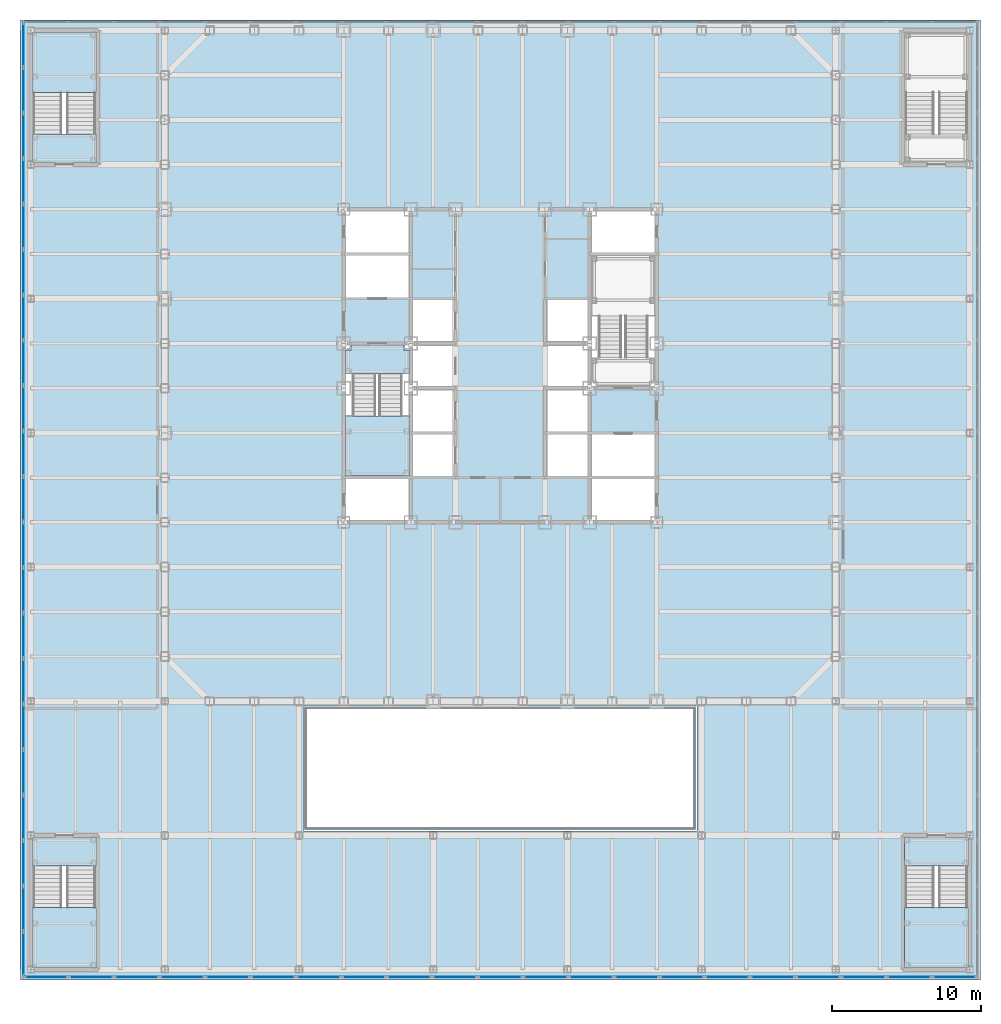
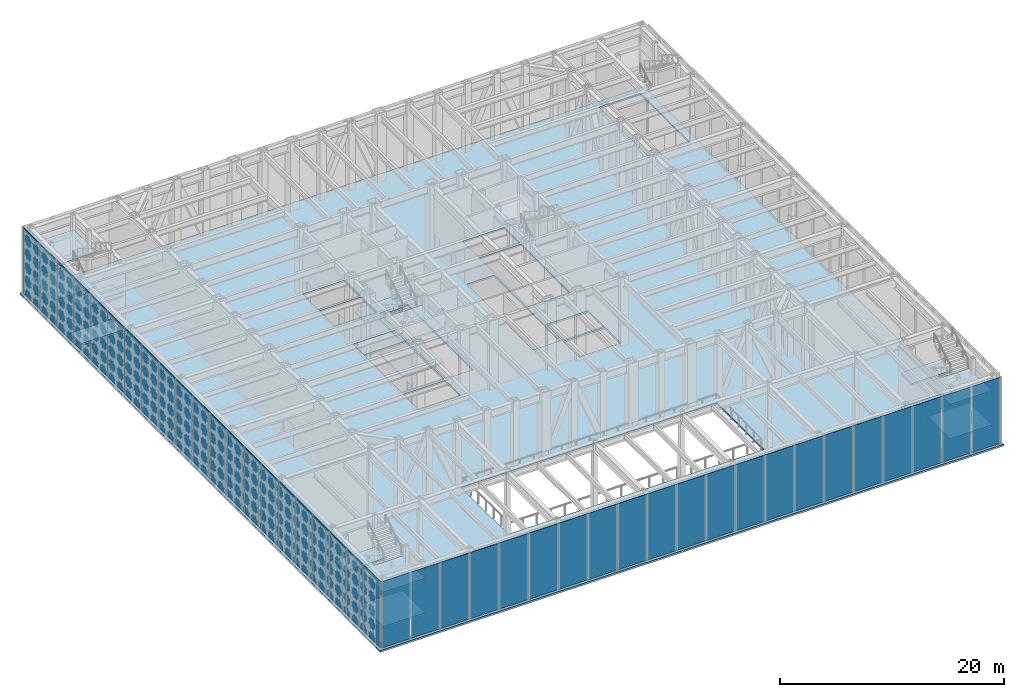
# One storey, part 13 of 34: 42 plates, 17 slabs, 6 elements without a shape of their own.
"""IFC4 building model written with IfcOpenShell, lengths in metres."""

from ifc_helpers import new_model, si_unit, direction, frame, origin, origin_2d, place, context, subcontext, project, spatial, polyline, rectangle, outline, extrude, material, layer, layer_set, type_object, element, aggregate, save


model = new_model("IFC4")

# Units and contexts
model_context = context("Model", 3, precision=1e-05, world=origin(), true_north=direction((0.0, 1.0)))
body_context = subcontext(model_context, "Body", "Model", "MODEL_VIEW")
ifc_project = project(units=[si_unit("LENGTHUNIT", "METRE"), si_unit("AREAUNIT", "SQUARE_METRE"), si_unit("VOLUMEUNIT", "CUBIC_METRE"), si_unit("PLANEANGLEUNIT", "RADIAN"), si_unit("MASSUNIT", "GRAM", prefix="KILO")], contexts=[model_context])

# Site, building, storey
site_placement = place(None, origin())
site = spatial("IfcSite", under=ifc_project, at=site_placement, CompositionType="ELEMENT")
building_placement = place(site_placement, origin())
building = spatial("IfcBuilding", under=site, at=building_placement, Name="Chuquiago Exchange Tower", CompositionType="ELEMENT")
storey_placement = place(building_placement, frame((0.0, 0.0, 6.0)))
storey = spatial("IfcBuildingStorey", under=building, at=storey_placement, Name="L01", CompositionType="ELEMENT", Elevation=6.0)

# Curtain wall, plates
ifc_material_1 = material(Name="Aluminium curtain wall system", Category="aluminium")
ifc_layer_1 = layer(ifc_material_1, 0.300048828125)
ifc_layer_set_1 = layer_set([ifc_layer_1], Name="CW4 podium curtain wall")
curtain_wall_type = type_object("IfcCurtainWallType", Name="CW4 podium curtain wall", PredefinedType="NOTDEFINED", material=ifc_layer_set_1)
curtain_wall_1_placement = place(storey_placement, origin())
curtain_wall_1 = element("IfcCurtainWall", 1, at=curtain_wall_1_placement, inside=storey, type_object=curtain_wall_type, Name="CW4 curtain wall L01", PredefinedType="NOTDEFINED")
ifc_material_2 = material(Name="Glass, insulating unit", Category="glass")
ifc_layer_2 = layer(ifc_material_2, 0.035888671875)
ifc_layer_set_2 = layer_set([ifc_layer_2], Name="CW4-P panel 36")
plate_type = type_object("IfcPlateType", Name="CW4-P panel 36", PredefinedType="CURTAIN_PANEL", material=ifc_layer_set_2)
plate_1_placement = place(storey_placement, frame((-7.95751953125, -18.5, 0.074951171875), z_axis=(0.0, 0.0, 1.0), x_axis=(1.0, 0.0, 0.0)))
plate_1 = element("IfcPlate", 2, at=plate_1_placement, type_object=plate_type, Name="CW4 panel 1.1", PredefinedType="CURTAIN_PANEL", context=body_context, shape_type="SweptSolid", body=[
    extrude(rectangle(XDim=2.93505859375, YDim=0.035888671875, at=origin_2d()), origin(), (0.0, 0.0, 1.0), 7.22509765625),
])
plate_2_placement = place(storey_placement, frame((-4.928466796875, -18.5, 0.074951171875), z_axis=(0.0, 0.0, 1.0), x_axis=(1.0, 0.0, 0.0)))
plate_2 = element("IfcPlate", 3, at=plate_2_placement, type_object=plate_type, Name="CW4 panel 2.1", PredefinedType="CURTAIN_PANEL", context=body_context, shape_type="SweptSolid", body=[
    extrude(rectangle(XDim=2.97265625, YDim=0.035888671875, at=origin_2d()), origin(), (0.0, 0.0, 1.0), 7.22509765625),
])
plate_3_placement = place(storey_placement, frame((-1.880859375, -18.5, 0.074951171875), z_axis=(0.0, 0.0, 1.0), x_axis=(1.0, 0.0, 0.0)))
plate_3 = element("IfcPlate", 4, at=plate_3_placement, type_object=plate_type, Name="CW4 panel 3.1", PredefinedType="CURTAIN_PANEL", context=body_context, shape_type="SweptSolid", body=[
    extrude(rectangle(XDim=2.97265625, YDim=0.035888671875, at=origin_2d()), origin(), (0.0, 0.0, 1.0), 7.22509765625),
])
plate_4_placement = place(storey_placement, frame((1.166748046875, -18.5, 0.074951171875), z_axis=(0.0, 0.0, 1.0), x_axis=(1.0, 0.0, 0.0)))
plate_4 = element("IfcPlate", 5, at=plate_4_placement, type_object=plate_type, Name="CW4 panel 4.1", PredefinedType="CURTAIN_PANEL", context=body_context, shape_type="SweptSolid", body=[
    extrude(rectangle(XDim=2.97265625, YDim=0.035888671875, at=origin_2d()), origin(), (0.0, 0.0, 1.0), 7.22509765625),
])
plate_5_placement = place(storey_placement, frame((4.21435546875, -18.5, 0.074951171875), z_axis=(0.0, 0.0, 1.0), x_axis=(1.0, 0.0, 0.0)))
plate_5 = element("IfcPlate", 6, at=plate_5_placement, type_object=plate_type, Name="CW4 panel 5.1", PredefinedType="CURTAIN_PANEL", context=body_context, shape_type="SweptSolid", body=[
    extrude(rectangle(XDim=2.97265625, YDim=0.035888671875, at=origin_2d()), origin(), (0.0, 0.0, 1.0), 7.22509765625),
])
plate_6_placement = place(storey_placement, frame((7.261962890625, -18.5, 0.074951171875), z_axis=(0.0, 0.0, 1.0), x_axis=(1.0, 0.0, 0.0)))
plate_6 = element("IfcPlate", 7, at=plate_6_placement, type_object=plate_type, Name="CW4 panel 6.1", PredefinedType="CURTAIN_PANEL", context=body_context, shape_type="SweptSolid", body=[
    extrude(rectangle(XDim=2.97265625, YDim=0.035888671875, at=origin_2d()), origin(), (0.0, 0.0, 1.0), 7.22509765625),
])
plate_7_placement = place(storey_placement, frame((10.3095703125, -18.5, 0.074951171875), z_axis=(0.0, 0.0, 1.0), x_axis=(1.0, 0.0, 0.0)))
plate_7 = element("IfcPlate", 8, at=plate_7_placement, type_object=plate_type, Name="CW4 panel 7.1", PredefinedType="CURTAIN_PANEL", context=body_context, shape_type="SweptSolid", body=[
    extrude(rectangle(XDim=2.97265625, YDim=0.035888671875, at=origin_2d()), origin(), (0.0, 0.0, 1.0), 7.22509765625),
])
plate_8_placement = place(storey_placement, frame((13.357177734375, -18.5, 0.074951171875), z_axis=(0.0, 0.0, 1.0), x_axis=(1.0, 0.0, 0.0)))
plate_8 = element("IfcPlate", 9, at=plate_8_placement, type_object=plate_type, Name="CW4 panel 8.1", PredefinedType="CURTAIN_PANEL", context=body_context, shape_type="SweptSolid", body=[
    extrude(rectangle(XDim=2.97265625, YDim=0.035888671875, at=origin_2d()), origin(), (0.0, 0.0, 1.0), 7.22509765625),
])
plate_9_placement = place(storey_placement, frame((16.40478515625, -18.5, 0.074951171875), z_axis=(0.0, 0.0, 1.0), x_axis=(1.0, 0.0, 0.0)))
plate_9 = element("IfcPlate", 10, at=plate_9_placement, type_object=plate_type, Name="CW4 panel 9.1", PredefinedType="CURTAIN_PANEL", context=body_context, shape_type="SweptSolid", body=[
    extrude(rectangle(XDim=2.97265625, YDim=0.035888671875, at=origin_2d()), origin(), (0.0, 0.0, 1.0), 7.22509765625),
])
plate_10_placement = place(storey_placement, frame((19.452392578125, -18.5, 0.074951171875), z_axis=(0.0, 0.0, 1.0), x_axis=(1.0, 0.0, 0.0)))
plate_10 = element("IfcPlate", 11, at=plate_10_placement, type_object=plate_type, Name="CW4 panel 10.1", PredefinedType="CURTAIN_PANEL", context=body_context, shape_type="SweptSolid", body=[
    extrude(rectangle(XDim=2.97265625, YDim=0.035888671875, at=origin_2d()), origin(), (0.0, 0.0, 1.0), 7.22509765625),
])
plate_11_placement = place(storey_placement, frame((22.5, -18.5, 0.074951171875), z_axis=(0.0, 0.0, 1.0), x_axis=(1.0, 0.0, 0.0)))
plate_11 = element("IfcPlate", 12, at=plate_11_placement, type_object=plate_type, Name="CW4 panel 11.1", PredefinedType="CURTAIN_PANEL", context=body_context, shape_type="SweptSolid", body=[
    extrude(rectangle(XDim=2.97265625, YDim=0.035888671875, at=origin_2d()), origin(), (0.0, 0.0, 1.0), 7.22509765625),
])
plate_12_placement = place(storey_placement, frame((25.547607421875, -18.5, 0.074951171875), z_axis=(0.0, 0.0, 1.0), x_axis=(1.0, 0.0, 0.0)))
plate_12 = element("IfcPlate", 13, at=plate_12_placement, type_object=plate_type, Name="CW4 panel 12.1", PredefinedType="CURTAIN_PANEL", context=body_context, shape_type="SweptSolid", body=[
    extrude(rectangle(XDim=2.97265625, YDim=0.035888671875, at=origin_2d()), origin(), (0.0, 0.0, 1.0), 7.22509765625),
])
plate_13_placement = place(storey_placement, frame((28.59521484375, -18.5, 0.074951171875), z_axis=(0.0, 0.0, 1.0), x_axis=(1.0, 0.0, 0.0)))
plate_13 = element("IfcPlate", 14, at=plate_13_placement, type_object=plate_type, Name="CW4 panel 13.1", PredefinedType="CURTAIN_PANEL", context=body_context, shape_type="SweptSolid", body=[
    extrude(rectangle(XDim=2.97265625, YDim=0.035888671875, at=origin_2d()), origin(), (0.0, 0.0, 1.0), 7.22509765625),
])
plate_14_placement = place(storey_placement, frame((31.642822265625, -18.5, 0.074951171875), z_axis=(0.0, 0.0, 1.0), x_axis=(1.0, 0.0, 0.0)))
plate_14 = element("IfcPlate", 15, at=plate_14_placement, type_object=plate_type, Name="CW4 panel 14.1", PredefinedType="CURTAIN_PANEL", context=body_context, shape_type="SweptSolid", body=[
    extrude(rectangle(XDim=2.97265625, YDim=0.035888671875, at=origin_2d()), origin(), (0.0, 0.0, 1.0), 7.22509765625),
])
plate_15_placement = place(storey_placement, frame((34.6904296875, -18.5, 0.074951171875), z_axis=(0.0, 0.0, 1.0), x_axis=(1.0, 0.0, 0.0)))
plate_15 = element("IfcPlate", 16, at=plate_15_placement, type_object=plate_type, Name="CW4 panel 15.1", PredefinedType="CURTAIN_PANEL", context=body_context, shape_type="SweptSolid", body=[
    extrude(rectangle(XDim=2.97265625, YDim=0.035888671875, at=origin_2d()), origin(), (0.0, 0.0, 1.0), 7.22509765625),
])
plate_16_placement = place(storey_placement, frame((37.738037109375, -18.5, 0.074951171875), z_axis=(0.0, 0.0, 1.0), x_axis=(1.0, 0.0, 0.0)))
plate_16 = element("IfcPlate", 17, at=plate_16_placement, type_object=plate_type, Name="CW4 panel 16.1", PredefinedType="CURTAIN_PANEL", context=body_context, shape_type="SweptSolid", body=[
    extrude(rectangle(XDim=2.97265625, YDim=0.035888671875, at=origin_2d()), origin(), (0.0, 0.0, 1.0), 7.22509765625),
])
plate_17_placement = place(storey_placement, frame((40.78564453125, -18.5, 0.074951171875), z_axis=(0.0, 0.0, 1.0), x_axis=(1.0, 0.0, 0.0)))
plate_17 = element("IfcPlate", 18, at=plate_17_placement, type_object=plate_type, Name="CW4 panel 17.1", PredefinedType="CURTAIN_PANEL", context=body_context, shape_type="SweptSolid", body=[
    extrude(rectangle(XDim=2.97265625, YDim=0.035888671875, at=origin_2d()), origin(), (0.0, 0.0, 1.0), 7.22509765625),
])
plate_18_placement = place(storey_placement, frame((43.833251953125, -18.5, 0.074951171875), z_axis=(0.0, 0.0, 1.0), x_axis=(1.0, 0.0, 0.0)))
plate_18 = element("IfcPlate", 19, at=plate_18_placement, type_object=plate_type, Name="CW4 panel 18.1", PredefinedType="CURTAIN_PANEL", context=body_context, shape_type="SweptSolid", body=[
    extrude(rectangle(XDim=2.97265625, YDim=0.035888671875, at=origin_2d()), origin(), (0.0, 0.0, 1.0), 7.22509765625),
])
plate_19_placement = place(storey_placement, frame((46.880859375, -18.5, 0.074951171875), z_axis=(0.0, 0.0, 1.0), x_axis=(1.0, 0.0, 0.0)))
plate_19 = element("IfcPlate", 20, at=plate_19_placement, type_object=plate_type, Name="CW4 panel 19.1", PredefinedType="CURTAIN_PANEL", context=body_context, shape_type="SweptSolid", body=[
    extrude(rectangle(XDim=2.97265625, YDim=0.035888671875, at=origin_2d()), origin(), (0.0, 0.0, 1.0), 7.22509765625),
])
plate_20_placement = place(storey_placement, frame((49.928466796875, -18.5, 0.074951171875), z_axis=(0.0, 0.0, 1.0), x_axis=(1.0, 0.0, 0.0)))
plate_20 = element("IfcPlate", 21, at=plate_20_placement, type_object=plate_type, Name="CW4 panel 20.1", PredefinedType="CURTAIN_PANEL", context=body_context, shape_type="SweptSolid", body=[
    extrude(rectangle(XDim=2.97265625, YDim=0.035888671875, at=origin_2d()), origin(), (0.0, 0.0, 1.0), 7.22509765625),
])
plate_21_placement = place(storey_placement, frame((52.95751953125, -18.5, 0.074951171875), z_axis=(0.0, 0.0, 1.0), x_axis=(1.0, 0.0, 0.0)))
plate_21 = element("IfcPlate", 22, at=plate_21_placement, type_object=plate_type, Name="CW4 panel 21.1", PredefinedType="CURTAIN_PANEL", context=body_context, shape_type="SweptSolid", body=[
    extrude(rectangle(XDim=2.93505859375, YDim=0.035888671875, at=origin_2d()), origin(), (0.0, 0.0, 1.0), 7.22509765625),
])
aggregate(curtain_wall_1, [plate_1, plate_2, plate_3, plate_4, plate_5, plate_6, plate_7, plate_8, plate_9, plate_10, plate_11, plate_12, plate_13, plate_14, plate_15, plate_16, plate_17, plate_18, plate_19, plate_20, plate_21])

curtain_wall_2_placement = place(storey_placement, origin())
curtain_wall_2 = element("IfcCurtainWall", 23, at=curtain_wall_2_placement, inside=storey, type_object=curtain_wall_type, Name="CW4 curtain wall L01", PredefinedType="NOTDEFINED")
plate_22_placement = place(storey_placement, frame((-9.5, 44.03076171875, 0.074951171875), z_axis=(0.0, 0.0, 1.0), x_axis=(0.0, -1.0, 0.0)))
plate_22 = element("IfcPlate", 24, at=plate_22_placement, type_object=plate_type, Name="CW4 panel 1.1", PredefinedType="CURTAIN_PANEL", context=body_context, shape_type="SweptSolid", body=[
    extrude(rectangle(XDim=2.938720703125, YDim=0.035888671875, at=origin_2d()), origin(), (0.0, 0.0, 1.0), 7.22509765625),
])
plate_23_placement = place(storey_placement, frame((-9.5, 40.998291015625, 0.074951171875), z_axis=(0.0, 0.0, 1.0), x_axis=(0.0, -1.0, 0.0)))
plate_23 = element("IfcPlate", 25, at=plate_23_placement, type_object=plate_type, Name="CW4 panel 2.1", PredefinedType="CURTAIN_PANEL", context=body_context, shape_type="SweptSolid", body=[
    extrude(rectangle(XDim=2.97607421875, YDim=0.035888671875, at=origin_2d()), origin(), (0.0, 0.0, 1.0), 7.22509765625),
])
plate_24_placement = place(storey_placement, frame((-9.5, 37.947021484375, 0.074951171875), z_axis=(0.0, 0.0, 1.0), x_axis=(0.0, -1.0, 0.0)))
plate_24 = element("IfcPlate", 26, at=plate_24_placement, type_object=plate_type, Name="CW4 panel 3.1", PredefinedType="CURTAIN_PANEL", context=body_context, shape_type="SweptSolid", body=[
    extrude(rectangle(XDim=2.97607421875, YDim=0.035888671875, at=origin_2d()), origin(), (0.0, 0.0, 1.0), 7.22509765625),
])
plate_25_placement = place(storey_placement, frame((-9.5, 34.895751953125, 0.074951171875), z_axis=(0.0, 0.0, 1.0), x_axis=(0.0, -1.0, 0.0)))
plate_25 = element("IfcPlate", 27, at=plate_25_placement, type_object=plate_type, Name="CW4 panel 4.1", PredefinedType="CURTAIN_PANEL", context=body_context, shape_type="SweptSolid", body=[
    extrude(rectangle(XDim=2.97607421875, YDim=0.035888671875, at=origin_2d()), origin(), (0.0, 0.0, 1.0), 7.22509765625),
])
plate_26_placement = place(storey_placement, frame((-9.5, 31.8447265625, 0.074951171875), z_axis=(0.0, 0.0, 1.0), x_axis=(0.0, -1.0, 0.0)))
plate_26 = element("IfcPlate", 28, at=plate_26_placement, type_object=plate_type, Name="CW4 panel 5.1", PredefinedType="CURTAIN_PANEL", context=body_context, shape_type="SweptSolid", body=[
    extrude(rectangle(XDim=2.97607421875, YDim=0.035888671875, at=origin_2d()), origin(), (0.0, 0.0, 1.0), 7.22509765625),
])
plate_27_placement = place(storey_placement, frame((-9.5, 28.79345703125, 0.074951171875), z_axis=(0.0, 0.0, 1.0), x_axis=(0.0, -1.0, 0.0)))
plate_27 = element("IfcPlate", 29, at=plate_27_placement, type_object=plate_type, Name="CW4 panel 6.1", PredefinedType="CURTAIN_PANEL", context=body_context, shape_type="SweptSolid", body=[
    extrude(rectangle(XDim=2.97607421875, YDim=0.035888671875, at=origin_2d()), origin(), (0.0, 0.0, 1.0), 7.22509765625),
])
plate_28_placement = place(storey_placement, frame((-9.5, 25.7421875, 0.074951171875), z_axis=(0.0, 0.0, 1.0), x_axis=(0.0, -1.0, 0.0)))
plate_28 = element("IfcPlate", 30, at=plate_28_placement, type_object=plate_type, Name="CW4 panel 7.1", PredefinedType="CURTAIN_PANEL", context=body_context, shape_type="SweptSolid", body=[
    extrude(rectangle(XDim=2.97607421875, YDim=0.035888671875, at=origin_2d()), origin(), (0.0, 0.0, 1.0), 7.22509765625),
])
plate_29_placement = place(storey_placement, frame((-9.5, 22.691162109375, 0.074951171875), z_axis=(0.0, 0.0, 1.0), x_axis=(0.0, -1.0, 0.0)))
plate_29 = element("IfcPlate", 31, at=plate_29_placement, type_object=plate_type, Name="CW4 panel 8.1", PredefinedType="CURTAIN_PANEL", context=body_context, shape_type="SweptSolid", body=[
    extrude(rectangle(XDim=2.97607421875, YDim=0.035888671875, at=origin_2d()), origin(), (0.0, 0.0, 1.0), 7.22509765625),
])
plate_30_placement = place(storey_placement, frame((-9.5, 19.639892578125, 0.074951171875), z_axis=(0.0, 0.0, 1.0), x_axis=(0.0, -1.0, 0.0)))
plate_30 = element("IfcPlate", 32, at=plate_30_placement, type_object=plate_type, Name="CW4 panel 9.1", PredefinedType="CURTAIN_PANEL", context=body_context, shape_type="SweptSolid", body=[
    extrude(rectangle(XDim=2.97607421875, YDim=0.035888671875, at=origin_2d()), origin(), (0.0, 0.0, 1.0), 7.22509765625),
])
plate_31_placement = place(storey_placement, frame((-9.5, 16.588623046875, 0.074951171875), z_axis=(0.0, 0.0, 1.0), x_axis=(0.0, -1.0, 0.0)))
plate_31 = element("IfcPlate", 33, at=plate_31_placement, type_object=plate_type, Name="CW4 panel 10.1", PredefinedType="CURTAIN_PANEL", context=body_context, shape_type="SweptSolid", body=[
    extrude(rectangle(XDim=2.97607421875, YDim=0.035888671875, at=origin_2d()), origin(), (0.0, 0.0, 1.0), 7.22509765625),
])
plate_32_placement = place(storey_placement, frame((-9.5, 13.53759765625, 0.074951171875), z_axis=(0.0, 0.0, 1.0), x_axis=(0.0, -1.0, 0.0)))
plate_32 = element("IfcPlate", 34, at=plate_32_placement, type_object=plate_type, Name="CW4 panel 11.1", PredefinedType="CURTAIN_PANEL", context=body_context, shape_type="SweptSolid", body=[
    extrude(rectangle(XDim=2.97607421875, YDim=0.035888671875, at=origin_2d()), origin(), (0.0, 0.0, 1.0), 7.22509765625),
])
plate_33_placement = place(storey_placement, frame((-9.5, 10.486328125, 0.074951171875), z_axis=(0.0, 0.0, 1.0), x_axis=(0.0, -1.0, 0.0)))
plate_33 = element("IfcPlate", 35, at=plate_33_placement, type_object=plate_type, Name="CW4 panel 12.1", PredefinedType="CURTAIN_PANEL", context=body_context, shape_type="SweptSolid", body=[
    extrude(rectangle(XDim=2.97607421875, YDim=0.035888671875, at=origin_2d()), origin(), (0.0, 0.0, 1.0), 7.22509765625),
])
plate_34_placement = place(storey_placement, frame((-9.5, 7.43505859375, 0.074951171875), z_axis=(0.0, 0.0, 1.0), x_axis=(0.0, -1.0, 0.0)))
plate_34 = element("IfcPlate", 36, at=plate_34_placement, type_object=plate_type, Name="CW4 panel 13.1", PredefinedType="CURTAIN_PANEL", context=body_context, shape_type="SweptSolid", body=[
    extrude(rectangle(XDim=2.97607421875, YDim=0.035888671875, at=origin_2d()), origin(), (0.0, 0.0, 1.0), 7.22509765625),
])
plate_35_placement = place(storey_placement, frame((-9.5, 4.384033203125, 0.074951171875), z_axis=(0.0, 0.0, 1.0), x_axis=(0.0, -1.0, 0.0)))
plate_35 = element("IfcPlate", 37, at=plate_35_placement, type_object=plate_type, Name="CW4 panel 14.1", PredefinedType="CURTAIN_PANEL", context=body_context, shape_type="SweptSolid", body=[
    extrude(rectangle(XDim=2.97607421875, YDim=0.035888671875, at=origin_2d()), origin(), (0.0, 0.0, 1.0), 7.22509765625),
])
plate_36_placement = place(storey_placement, frame((-9.5, 1.332763671875, 0.074951171875), z_axis=(0.0, 0.0, 1.0), x_axis=(0.0, -1.0, 0.0)))
plate_36 = element("IfcPlate", 38, at=plate_36_placement, type_object=plate_type, Name="CW4 panel 15.1", PredefinedType="CURTAIN_PANEL", context=body_context, shape_type="SweptSolid", body=[
    extrude(rectangle(XDim=2.97607421875, YDim=0.035888671875, at=origin_2d()), origin(), (0.0, 0.0, 1.0), 7.22509765625),
])
plate_37_placement = place(storey_placement, frame((-9.5, -1.718505859375, 0.074951171875), z_axis=(0.0, 0.0, 1.0), x_axis=(0.0, -1.0, 0.0)))
plate_37 = element("IfcPlate", 39, at=plate_37_placement, type_object=plate_type, Name="CW4 panel 16.1", PredefinedType="CURTAIN_PANEL", context=body_context, shape_type="SweptSolid", body=[
    extrude(rectangle(XDim=2.97607421875, YDim=0.035888671875, at=origin_2d()), origin(), (0.0, 0.0, 1.0), 7.22509765625),
])
plate_38_placement = place(storey_placement, frame((-9.5, -4.76953125, 0.074951171875), z_axis=(0.0, 0.0, 1.0), x_axis=(0.0, -1.0, 0.0)))
plate_38 = element("IfcPlate", 40, at=plate_38_placement, type_object=plate_type, Name="CW4 panel 17.1", PredefinedType="CURTAIN_PANEL", context=body_context, shape_type="SweptSolid", body=[
    extrude(rectangle(XDim=2.97607421875, YDim=0.035888671875, at=origin_2d()), origin(), (0.0, 0.0, 1.0), 7.22509765625),
])
plate_39_placement = place(storey_placement, frame((-9.5, -7.82080078125, 0.074951171875), z_axis=(0.0, 0.0, 1.0), x_axis=(0.0, -1.0, 0.0)))
plate_39 = element("IfcPlate", 41, at=plate_39_placement, type_object=plate_type, Name="CW4 panel 18.1", PredefinedType="CURTAIN_PANEL", context=body_context, shape_type="SweptSolid", body=[
    extrude(rectangle(XDim=2.97607421875, YDim=0.035888671875, at=origin_2d()), origin(), (0.0, 0.0, 1.0), 7.22509765625),
])
plate_40_placement = place(storey_placement, frame((-9.5, -10.8720703125, 0.074951171875), z_axis=(0.0, 0.0, 1.0), x_axis=(0.0, -1.0, 0.0)))
plate_40 = element("IfcPlate", 42, at=plate_40_placement, type_object=plate_type, Name="CW4 panel 19.1", PredefinedType="CURTAIN_PANEL", context=body_context, shape_type="SweptSolid", body=[
    extrude(rectangle(XDim=2.97607421875, YDim=0.035888671875, at=origin_2d()), origin(), (0.0, 0.0, 1.0), 7.22509765625),
])
plate_41_placement = place(storey_placement, frame((-9.5, -13.923095703125, 0.074951171875), z_axis=(0.0, 0.0, 1.0), x_axis=(0.0, -1.0, 0.0)))
plate_41 = element("IfcPlate", 43, at=plate_41_placement, type_object=plate_type, Name="CW4 panel 20.1", PredefinedType="CURTAIN_PANEL", context=body_context, shape_type="SweptSolid", body=[
    extrude(rectangle(XDim=2.97607421875, YDim=0.035888671875, at=origin_2d()), origin(), (0.0, 0.0, 1.0), 7.22509765625),
])
plate_42_placement = place(storey_placement, frame((-9.5, -16.95556640625, 0.074951171875), z_axis=(0.0, 0.0, 1.0), x_axis=(0.0, -1.0, 0.0)))
plate_42 = element("IfcPlate", 44, at=plate_42_placement, type_object=plate_type, Name="CW4 panel 21.1", PredefinedType="CURTAIN_PANEL", context=body_context, shape_type="SweptSolid", body=[
    extrude(rectangle(XDim=2.938720703125, YDim=0.035888671875, at=origin_2d()), origin(), (0.0, 0.0, 1.0), 7.22509765625),
])
aggregate(curtain_wall_2, [plate_22, plate_23, plate_24, plate_25, plate_26, plate_27, plate_28, plate_29, plate_30, plate_31, plate_32, plate_33, plate_34, plate_35, plate_36, plate_37, plate_38, plate_39, plate_40, plate_41, plate_42])

# Slab
ifc_material_3 = material(Name="Concrete C30/37", Category="concrete")
ifc_layer_3 = layer(ifc_material_3, 0.199951171875)
ifc_layer_set_3 = layer_set([ifc_layer_3], Name="FS2 podium floor 200")
slab_type_1 = type_object("IfcSlabType", Name="FS2 podium floor 200", PredefinedType="FLOOR", material=ifc_layer_set_3)
slab_1_placement = place(storey_placement, frame((0.0, 0.0, -0.199951171875)))
element("IfcSlab", 45, at=slab_1_placement, inside=storey, type_object=slab_type_1, Name="L01 floor slab", PredefinedType="FLOOR", context=body_context, shape_type="SweptSolid", body=[
    extrude(outline(polyline([(54.699951171875, -18.699951171875), (54.699951171875, 45.699951171875), (-9.699951171875, 45.699951171875), (-9.699951171875, -18.699951171875), (54.699951171875, -18.699951171875)]), holes=[polyline([(16.39990234375, 15.10009765625), (12.10009765625, 15.10009765625), (12.10009765625, 23.89990234375), (16.39990234375, 23.89990234375), (16.39990234375, 15.10009765625)]), polyline([(32.89990234375, 21.10009765625), (28.60009765625, 21.10009765625), (28.60009765625, 29.89990234375), (32.89990234375, 29.89990234375), (32.89990234375, 21.10009765625)]), polyline([(16.39990234375, 12.10009765625), (12.10009765625, 12.10009765625), (12.10009765625, 14.89990234375), (16.39990234375, 14.89990234375), (16.39990234375, 12.10009765625)]), polyline([(16.39990234375, 30.10009765625), (12.10009765625, 30.10009765625), (12.10009765625, 32.89990234375), (16.39990234375, 32.89990234375), (16.39990234375, 30.10009765625)]), polyline([(32.89990234375, 12.10009765625), (28.60009765625, 12.10009765625), (28.60009765625, 14.89990234375), (32.89990234375, 14.89990234375), (32.89990234375, 12.10009765625)]), polyline([(32.89990234375, 30.10009765625), (28.60009765625, 30.10009765625), (28.60009765625, 32.89990234375), (32.89990234375, 32.89990234375), (32.89990234375, 30.10009765625)]), polyline([(16.39990234375, 27.10009765625), (12.10009765625, 27.10009765625), (12.10009765625, 29.89990234375), (16.39990234375, 29.89990234375), (16.39990234375, 27.10009765625)]), polyline([(32.89990234375, 15.10009765625), (28.60009765625, 15.10009765625), (28.60009765625, 17.89990234375), (32.89990234375, 17.89990234375), (32.89990234375, 15.10009765625)]), polyline([(19.39990234375, 15.10009765625), (16.60009765625, 15.10009765625), (16.60009765625, 26.89990234375), (19.39990234375, 26.89990234375), (19.39990234375, 15.10009765625)]), polyline([(28.39990234375, 15.10009765625), (25.60009765625, 15.10009765625), (25.60009765625, 26.89990234375), (28.39990234375, 26.89990234375), (28.39990234375, 15.10009765625)]), polyline([(-4.60009765625, -17.89990234375), (-8.89990234375, -17.89990234375), (-8.89990234375, -9.10009765625), (-4.60009765625, -9.10009765625), (-4.60009765625, -17.89990234375)]), polyline([(53.89990234375, -17.89990234375), (49.60009765625, -17.89990234375), (49.60009765625, -9.10009765625), (53.89990234375, -9.10009765625), (53.89990234375, -17.89990234375)]), polyline([(-4.60009765625, 36.10009765625), (-8.89990234375, 36.10009765625), (-8.89990234375, 44.89990234375), (-4.60009765625, 44.89990234375), (-4.60009765625, 36.10009765625)]), polyline([(53.89990234375, 36.10009765625), (49.60009765625, 36.10009765625), (49.60009765625, 44.89990234375), (53.89990234375, 44.89990234375), (53.89990234375, 36.10009765625)]), polyline([(35.699951171875, -8.699951171875), (35.699951171875, -0.300048828125), (9.300048828125, -0.300048828125), (9.300048828125, -8.699951171875), (35.699951171875, -8.699951171875)])]), origin(), (0.0, 0.0, 1.0), 0.199951171875),
])

# Stair, slabs
ifc_material_4 = material(Name="Concrete C30/37, precast", Category="concrete")
stair_type_1 = type_object("IfcStairType", Name="ST1 double half-turn stair 7500", PredefinedType="DOUBLE_RETURN_STAIR", material=ifc_material_4)
stair_1_placement = place(storey_placement, origin())
stair_1 = element("IfcStair", 46, at=stair_1_placement, inside=storey, type_object=stair_type_1, Name="Stair ST1 L01", PredefinedType="DOUBLE_RETURN_STAIR")
ifc_material_5 = material(Name="Concrete C30/37, precast", Category="concrete")
ifc_layer_4 = layer(ifc_material_5, 0.199951171875)
ifc_layer_set_4 = layer_set([ifc_layer_4], Name="ST-L landing 200")
slab_type_2 = type_object("IfcSlabType", Name="ST-L landing 200", PredefinedType="LANDING", material=ifc_layer_set_4)
slab_2_placement = place(storey_placement, frame((0.0, 0.0, -0.199951171875)))
slab_2 = element("IfcSlab", 47, at=slab_2_placement, type_object=slab_type_2, Name="ST1 landing 1", PredefinedType="LANDING", context=body_context, shape_type="SweptSolid", body=[
    extrude(outline(polyline([(12.47509765625, 23.89990234375), (16.02490234375, 23.89990234375), (16.02490234375, 23.52490234375), (16.39990234375, 23.52490234375), (16.39990234375, 21.949951171875), (12.10009765625, 21.949951171875), (12.10009765625, 23.52490234375), (12.47509765625, 23.52490234375), (12.47509765625, 23.89990234375)])), origin(), (0.0, 0.0, 1.0), 0.199951171875),
])
slab_3_placement = place(storey_placement, frame((0.0, 0.0, 1.675048828125)))
slab_3 = element("IfcSlab", 48, at=slab_3_placement, type_object=slab_type_2, Name="ST1 landing 2", PredefinedType="LANDING", context=body_context, shape_type="SweptSolid", body=[
    extrude(outline(polyline([(12.10009765625, 19.14990234375), (16.39990234375, 19.14990234375), (16.39990234375, 15.10009765625), (12.10009765625, 15.10009765625), (12.10009765625, 19.14990234375)])), origin(), (0.0, 0.0, 1.0), 0.199951171875),
])
slab_4_placement = place(storey_placement, frame((0.0, 0.0, 3.550048828125)))
slab_4 = element("IfcSlab", 49, at=slab_4_placement, type_object=slab_type_2, Name="ST1 landing 3", PredefinedType="LANDING", context=body_context, shape_type="SweptSolid", body=[
    extrude(outline(polyline([(12.47509765625, 23.89990234375), (16.02490234375, 23.89990234375), (16.02490234375, 23.52490234375), (16.39990234375, 23.52490234375), (16.39990234375, 21.949951171875), (12.10009765625, 21.949951171875), (12.10009765625, 23.52490234375), (12.47509765625, 23.52490234375), (12.47509765625, 23.89990234375)])), origin(), (0.0, 0.0, 1.0), 0.199951171875),
])
slab_5_placement = place(storey_placement, frame((0.0, 0.0, 5.425048828125)))
slab_5 = element("IfcSlab", 50, at=slab_5_placement, type_object=slab_type_2, Name="ST1 landing 4", PredefinedType="LANDING", context=body_context, shape_type="SweptSolid", body=[
    extrude(outline(polyline([(12.10009765625, 19.14990234375), (16.39990234375, 19.14990234375), (16.39990234375, 15.10009765625), (12.10009765625, 15.10009765625), (12.10009765625, 19.14990234375)])), origin(), (0.0, 0.0, 1.0), 0.199951171875),
])
aggregate(stair_1, [slab_2, slab_3, slab_4, slab_5])

ifc_material_6 = material(Name="Concrete C30/37, precast", Category="concrete")
stair_type_2 = type_object("IfcStairType", Name="PS1 double half-turn stair 7500", PredefinedType="DOUBLE_RETURN_STAIR", material=ifc_material_6)
stair_2_placement = place(storey_placement, origin())
stair_2 = element("IfcStair", 51, at=stair_2_placement, inside=storey, type_object=stair_type_2, Name="Stair PS1 L01", PredefinedType="DOUBLE_RETURN_STAIR")
slab_6_placement = place(storey_placement, frame((0.0, 0.0, -0.199951171875)))
slab_6 = element("IfcSlab", 52, at=slab_6_placement, type_object=slab_type_2, Name="PS1 landing 1", PredefinedType="LANDING", context=body_context, shape_type="SweptSolid", body=[
    extrude(outline(polyline([(-4.60009765625, -11.050048828125), (-4.60009765625, -9.10009765625), (-8.89990234375, -9.10009765625), (-8.89990234375, -11.050048828125), (-4.60009765625, -11.050048828125)])), origin(), (0.0, 0.0, 1.0), 0.199951171875),
])
slab_7_placement = place(storey_placement, frame((0.0, 0.0, 1.675048828125)))
slab_7 = element("IfcSlab", 53, at=slab_7_placement, type_object=slab_type_2, Name="PS1 landing 2", PredefinedType="LANDING", context=body_context, shape_type="SweptSolid", body=[
    extrude(outline(polyline([(-8.89990234375, -13.85009765625), (-4.60009765625, -13.85009765625), (-4.60009765625, -17.89990234375), (-8.89990234375, -17.89990234375), (-8.89990234375, -13.85009765625)])), origin(), (0.0, 0.0, 1.0), 0.199951171875),
])
slab_8_placement = place(storey_placement, frame((0.0, 0.0, 3.550048828125)))
slab_8 = element("IfcSlab", 54, at=slab_8_placement, type_object=slab_type_2, Name="PS1 landing 3", PredefinedType="LANDING", context=body_context, shape_type="SweptSolid", body=[
    extrude(outline(polyline([(-8.89990234375, -9.10009765625), (-4.60009765625, -9.10009765625), (-4.60009765625, -11.050048828125), (-8.89990234375, -11.050048828125), (-8.89990234375, -9.10009765625)])), origin(), (0.0, 0.0, 1.0), 0.199951171875),
])
slab_9_placement = place(storey_placement, frame((0.0, 0.0, 5.425048828125)))
slab_9 = element("IfcSlab", 55, at=slab_9_placement, type_object=slab_type_2, Name="PS1 landing 4", PredefinedType="LANDING", context=body_context, shape_type="SweptSolid", body=[
    extrude(outline(polyline([(-8.89990234375, -13.85009765625), (-4.60009765625, -13.85009765625), (-4.60009765625, -17.89990234375), (-8.89990234375, -17.89990234375), (-8.89990234375, -13.85009765625)])), origin(), (0.0, 0.0, 1.0), 0.199951171875),
])
aggregate(stair_2, [slab_6, slab_7, slab_8, slab_9])

ifc_material_7 = material(Name="Concrete C30/37, precast", Category="concrete")
stair_type_3 = type_object("IfcStairType", Name="PS2 double half-turn stair 7500", PredefinedType="DOUBLE_RETURN_STAIR", material=ifc_material_7)
stair_3_placement = place(storey_placement, origin())
stair_3 = element("IfcStair", 56, at=stair_3_placement, inside=storey, type_object=stair_type_3, Name="Stair PS2 L01", PredefinedType="DOUBLE_RETURN_STAIR")
slab_10_placement = place(storey_placement, frame((0.0, 0.0, -0.199951171875)))
slab_10 = element("IfcSlab", 57, at=slab_10_placement, type_object=slab_type_2, Name="PS2 landing 1", PredefinedType="LANDING", context=body_context, shape_type="SweptSolid", body=[
    extrude(outline(polyline([(53.89990234375, -11.050048828125), (53.89990234375, -9.10009765625), (49.60009765625, -9.10009765625), (49.60009765625, -11.050048828125), (53.89990234375, -11.050048828125)])), origin(), (0.0, 0.0, 1.0), 0.199951171875),
])
slab_11_placement = place(storey_placement, frame((0.0, 0.0, 1.675048828125)))
slab_11 = element("IfcSlab", 58, at=slab_11_placement, type_object=slab_type_2, Name="PS2 landing 2", PredefinedType="LANDING", context=body_context, shape_type="SweptSolid", body=[
    extrude(outline(polyline([(49.60009765625, -13.85009765625), (53.89990234375, -13.85009765625), (53.89990234375, -17.89990234375), (49.60009765625, -17.89990234375), (49.60009765625, -13.85009765625)])), origin(), (0.0, 0.0, 1.0), 0.199951171875),
])
slab_12_placement = place(storey_placement, frame((0.0, 0.0, 3.550048828125)))
slab_12 = element("IfcSlab", 59, at=slab_12_placement, type_object=slab_type_2, Name="PS2 landing 3", PredefinedType="LANDING", context=body_context, shape_type="SweptSolid", body=[
    extrude(outline(polyline([(49.60009765625, -9.10009765625), (53.89990234375, -9.10009765625), (53.89990234375, -11.050048828125), (49.60009765625, -11.050048828125), (49.60009765625, -9.10009765625)])), origin(), (0.0, 0.0, 1.0), 0.199951171875),
])
slab_13_placement = place(storey_placement, frame((0.0, 0.0, 5.425048828125)))
slab_13 = element("IfcSlab", 60, at=slab_13_placement, type_object=slab_type_2, Name="PS2 landing 4", PredefinedType="LANDING", context=body_context, shape_type="SweptSolid", body=[
    extrude(outline(polyline([(49.60009765625, -13.85009765625), (53.89990234375, -13.85009765625), (53.89990234375, -17.89990234375), (49.60009765625, -17.89990234375), (49.60009765625, -13.85009765625)])), origin(), (0.0, 0.0, 1.0), 0.199951171875),
])
aggregate(stair_3, [slab_10, slab_11, slab_12, slab_13])

ifc_material_8 = material(Name="Concrete C30/37, precast", Category="concrete")
stair_type_4 = type_object("IfcStairType", Name="PS3 double half-turn stair 7500", PredefinedType="DOUBLE_RETURN_STAIR", material=ifc_material_8)
stair_4_placement = place(storey_placement, origin())
stair_4 = element("IfcStair", 61, at=stair_4_placement, inside=storey, type_object=stair_type_4, Name="Stair PS3 L01", PredefinedType="DOUBLE_RETURN_STAIR")
slab_14_placement = place(storey_placement, frame((0.0, 0.0, -0.199951171875)))
slab_14 = element("IfcSlab", 62, at=slab_14_placement, type_object=slab_type_2, Name="PS3 landing 1", PredefinedType="LANDING", context=body_context, shape_type="SweptSolid", body=[
    extrude(outline(polyline([(-4.60009765625, 36.10009765625), (-4.60009765625, 38.050048828125), (-8.89990234375, 38.050048828125), (-8.89990234375, 36.10009765625), (-4.60009765625, 36.10009765625)])), origin(), (0.0, 0.0, 1.0), 0.199951171875),
])
slab_15_placement = place(storey_placement, frame((0.0, 0.0, 1.675048828125)))
slab_15 = element("IfcSlab", 63, at=slab_15_placement, type_object=slab_type_2, Name="PS3 landing 2", PredefinedType="LANDING", context=body_context, shape_type="SweptSolid", body=[
    extrude(outline(polyline([(-8.89990234375, 44.89990234375), (-4.60009765625, 44.89990234375), (-4.60009765625, 40.85009765625), (-8.89990234375, 40.85009765625), (-8.89990234375, 44.89990234375)])), origin(), (0.0, 0.0, 1.0), 0.199951171875),
])
slab_16_placement = place(storey_placement, frame((0.0, 0.0, 3.550048828125)))
slab_16 = element("IfcSlab", 64, at=slab_16_placement, type_object=slab_type_2, Name="PS3 landing 3", PredefinedType="LANDING", context=body_context, shape_type="SweptSolid", body=[
    extrude(outline(polyline([(-8.89990234375, 38.050048828125), (-4.60009765625, 38.050048828125), (-4.60009765625, 36.10009765625), (-8.89990234375, 36.10009765625), (-8.89990234375, 38.050048828125)])), origin(), (0.0, 0.0, 1.0), 0.199951171875),
])
slab_17_placement = place(storey_placement, frame((0.0, 0.0, 5.425048828125)))
slab_17 = element("IfcSlab", 65, at=slab_17_placement, type_object=slab_type_2, Name="PS3 landing 4", PredefinedType="LANDING", context=body_context, shape_type="SweptSolid", body=[
    extrude(outline(polyline([(-8.89990234375, 44.89990234375), (-4.60009765625, 44.89990234375), (-4.60009765625, 40.85009765625), (-8.89990234375, 40.85009765625), (-8.89990234375, 44.89990234375)])), origin(), (0.0, 0.0, 1.0), 0.199951171875),
])
aggregate(stair_4, [slab_14, slab_15, slab_16, slab_17])

save(model, "model.ifc")
